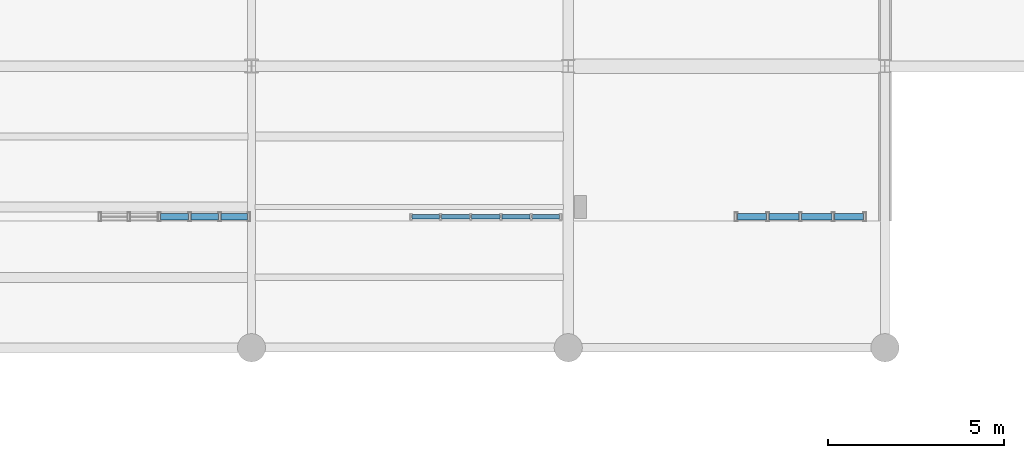
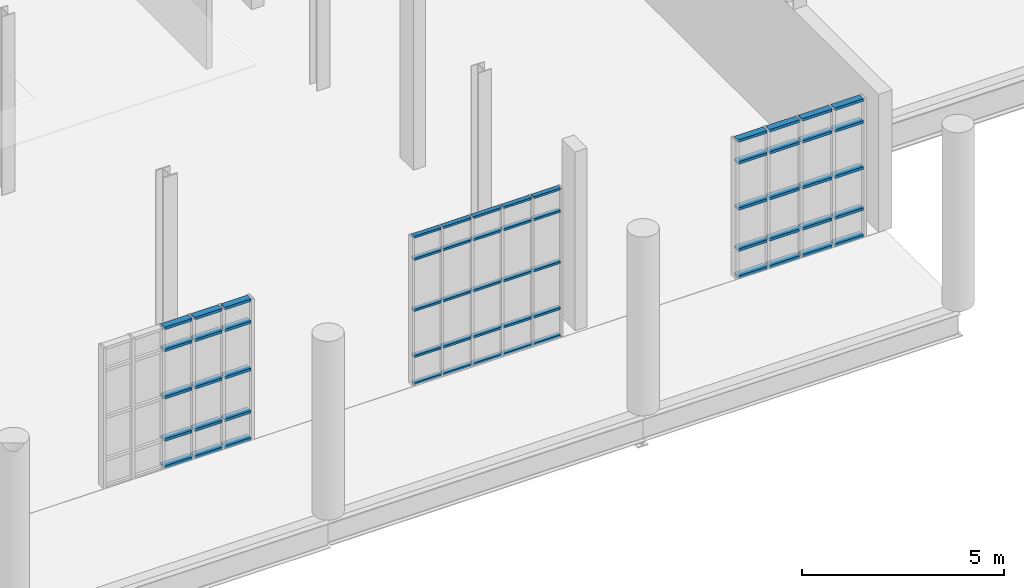
# One storey, part 139 of 189: 60 members, 3 elements without a shape of their own.
"""IFC4 building model written with IfcOpenShell, lengths in metres."""

from ifc_helpers import new_model, si_unit, direction, frame, origin, origin_2d, place, context, subcontext, project, spatial, hollow_rectangle, extrude, material, layer, layer_set, material_profile, profile_set, type_object, element, aggregate, save


model = new_model("IFC4")

# Units and contexts
model_context = context("Model", 3, precision=1e-05, world=origin(), true_north=direction((0.0, 1.0)))
body_context = subcontext(model_context, "Body", "Model", "MODEL_VIEW")
ifc_project = project(units=[si_unit("LENGTHUNIT", "METRE"), si_unit("AREAUNIT", "SQUARE_METRE"), si_unit("VOLUMEUNIT", "CUBIC_METRE"), si_unit("PLANEANGLEUNIT", "RADIAN"), si_unit("MASSUNIT", "GRAM", prefix="KILO"), si_unit("THERMODYNAMICTEMPERATUREUNIT", "KELVIN"), si_unit("POWERUNIT", "WATT")], contexts=[model_context])

# Site, building, storey
site_placement = place(None, origin())
site = spatial("IfcSite", under=ifc_project, at=site_placement, CompositionType="ELEMENT")
building_placement = place(site_placement, origin())
building = spatial("IfcBuilding", under=site, at=building_placement, Name="Zelmaris Science Centre", CompositionType="ELEMENT")
storey_placement = place(building_placement, origin())
storey = spatial("IfcBuildingStorey", under=building, at=storey_placement, Name="L00", CompositionType="ELEMENT", Elevation=0.0)

# Curtain wall, members
ifc_material = material(Name="Anodised architectural aluminium 6063-T6", Category="aluminium")
ifc_layer_1 = layer(ifc_material, 0.2099609375, Name="Anodised architectural aluminium 6063-T6")
ifc_layer_set_1 = layer_set([ifc_layer_1], Name="Anodised architectural aluminium 6063-T6")
curtain_wall_type_1 = type_object("IfcCurtainWallType", Name="Curtain Wall CW-03", PredefinedType="USERDEFINED", material=ifc_layer_set_1)
curtain_wall_1_placement = place(storey_placement, origin())
curtain_wall_1 = element("IfcCurtainWall", 1, at=curtain_wall_1_placement, inside=storey, type_object=curtain_wall_type_1, Name="L00 Unitised curtain wall 103", ObjectType="GLAZED CURTAIN WALL", PredefinedType="USERDEFINED")
ifc_material_profile_1 = material_profile(ifc_material, hollow_rectangle(XDim=0.06494140625, YDim=0.1298828125, WallThickness=0.00341796875, at=origin_2d()), Name="ALU-TRN-65X130")
ifc_profile_set_1 = profile_set([ifc_material_profile_1], Name="Anodised architectural aluminium 6063-T6")
member_type_1 = type_object("IfcMemberType", Name="ALU-TRN-65X130", PredefinedType="USERDEFINED", material=ifc_profile_set_1)
member_1_placement = place(storey_placement, frame((143.7529296875, 11.72021484375, 0.013427734375), z_axis=(-1.0, 0.0, 0.0), x_axis=(0.0, 0.0, 1.0)))
member_1 = element("IfcMember", 2, at=member_1_placement, type_object=member_type_1, Name="CW-03 transom 1.1", ObjectType="TRANSOM", PredefinedType="USERDEFINED", context=body_context, shape_type="SweptSolid", body=[
    extrude(hollow_rectangle(XDim=0.06494140625, YDim=0.1298828125, WallThickness=0.00341796875, at=origin_2d()), origin(), (0.0, 0.0, 1.0), 0.775146484375),
])
member_2_placement = place(storey_placement, frame((143.7529296875, 11.72021484375, 0.8349609375), z_axis=(-1.0, 0.0, 0.0), x_axis=(0.0, 0.0, 1.0)))
member_2 = element("IfcMember", 3, at=member_2_placement, type_object=member_type_1, Name="CW-03 transom 1.2", ObjectType="TRANSOM", PredefinedType="USERDEFINED", context=body_context, shape_type="SweptSolid", body=[
    extrude(hollow_rectangle(XDim=0.06494140625, YDim=0.1298828125, WallThickness=0.00341796875, at=origin_2d()), origin(), (0.0, 0.0, 1.0), 0.775146484375),
])
member_3_placement = place(storey_placement, frame((143.7529296875, 11.72021484375, 2.22900390625), z_axis=(-1.0, 0.0, 0.0), x_axis=(0.0, 0.0, 1.0)))
member_3 = element("IfcMember", 4, at=member_3_placement, type_object=member_type_1, Name="CW-03 transom 1.3", ObjectType="TRANSOM", PredefinedType="USERDEFINED", context=body_context, shape_type="SweptSolid", body=[
    extrude(hollow_rectangle(XDim=0.06494140625, YDim=0.1298828125, WallThickness=0.00341796875, at=origin_2d()), origin(), (0.0, 0.0, 1.0), 0.775146484375),
])
member_4_placement = place(storey_placement, frame((143.7529296875, 11.72021484375, 3.77294921875), z_axis=(-1.0, 0.0, 0.0), x_axis=(0.0, 0.0, 1.0)))
member_4 = element("IfcMember", 5, at=member_4_placement, type_object=member_type_1, Name="CW-03 transom 1.4", ObjectType="TRANSOM", PredefinedType="USERDEFINED", context=body_context, shape_type="SweptSolid", body=[
    extrude(hollow_rectangle(XDim=0.06494140625, YDim=0.1298828125, WallThickness=0.00341796875, at=origin_2d()), origin(), (0.0, 0.0, 1.0), 0.775146484375),
])
member_5_placement = place(storey_placement, frame((143.7529296875, 11.72021484375, 4.444580078125), z_axis=(-1.0, 0.0, 0.0), x_axis=(0.0, 0.0, 1.0)))
member_5 = element("IfcMember", 6, at=member_5_placement, type_object=member_type_1, Name="CW-03 transom 1.5", ObjectType="TRANSOM", PredefinedType="USERDEFINED", context=body_context, shape_type="SweptSolid", body=[
    extrude(hollow_rectangle(XDim=0.06494140625, YDim=0.1298828125, WallThickness=0.00341796875, at=origin_2d()), origin(), (0.0, 0.0, 1.0), 0.775146484375),
])
member_6_placement = place(storey_placement, frame((142.920654296875, 11.72021484375, 0.013427734375), z_axis=(-1.0, 0.0, 0.0), x_axis=(0.0, 0.0, 1.0)))
member_6 = element("IfcMember", 7, at=member_6_placement, type_object=member_type_1, Name="CW-03 transom 2.1", ObjectType="TRANSOM", PredefinedType="USERDEFINED", context=body_context, shape_type="SweptSolid", body=[
    extrude(hollow_rectangle(XDim=0.06494140625, YDim=0.1298828125, WallThickness=0.00341796875, at=origin_2d()), origin(), (0.0, 0.0, 1.0), 0.8037109375),
])
member_7_placement = place(storey_placement, frame((142.920654296875, 11.72021484375, 0.8349609375), z_axis=(-1.0, 0.0, 0.0), x_axis=(0.0, 0.0, 1.0)))
member_7 = element("IfcMember", 8, at=member_7_placement, type_object=member_type_1, Name="CW-03 transom 2.2", ObjectType="TRANSOM", PredefinedType="USERDEFINED", context=body_context, shape_type="SweptSolid", body=[
    extrude(hollow_rectangle(XDim=0.06494140625, YDim=0.1298828125, WallThickness=0.00341796875, at=origin_2d()), origin(), (0.0, 0.0, 1.0), 0.8037109375),
])
member_8_placement = place(storey_placement, frame((142.920654296875, 11.72021484375, 2.22900390625), z_axis=(-1.0, 0.0, 0.0), x_axis=(0.0, 0.0, 1.0)))
member_8 = element("IfcMember", 9, at=member_8_placement, type_object=member_type_1, Name="CW-03 transom 2.3", ObjectType="TRANSOM", PredefinedType="USERDEFINED", context=body_context, shape_type="SweptSolid", body=[
    extrude(hollow_rectangle(XDim=0.06494140625, YDim=0.1298828125, WallThickness=0.00341796875, at=origin_2d()), origin(), (0.0, 0.0, 1.0), 0.8037109375),
])
member_9_placement = place(storey_placement, frame((142.920654296875, 11.72021484375, 3.77294921875), z_axis=(-1.0, 0.0, 0.0), x_axis=(0.0, 0.0, 1.0)))
member_9 = element("IfcMember", 10, at=member_9_placement, type_object=member_type_1, Name="CW-03 transom 2.4", ObjectType="TRANSOM", PredefinedType="USERDEFINED", context=body_context, shape_type="SweptSolid", body=[
    extrude(hollow_rectangle(XDim=0.06494140625, YDim=0.1298828125, WallThickness=0.00341796875, at=origin_2d()), origin(), (0.0, 0.0, 1.0), 0.8037109375),
])
member_10_placement = place(storey_placement, frame((142.920654296875, 11.72021484375, 4.444580078125), z_axis=(-1.0, 0.0, 0.0), x_axis=(0.0, 0.0, 1.0)))
member_10 = element("IfcMember", 11, at=member_10_placement, type_object=member_type_1, Name="CW-03 transom 2.5", ObjectType="TRANSOM", PredefinedType="USERDEFINED", context=body_context, shape_type="SweptSolid", body=[
    extrude(hollow_rectangle(XDim=0.06494140625, YDim=0.1298828125, WallThickness=0.00341796875, at=origin_2d()), origin(), (0.0, 0.0, 1.0), 0.8037109375),
])
member_11_placement = place(storey_placement, frame((142.06005859375, 11.72021484375, 0.013427734375), z_axis=(-1.0, 0.0, 0.0), x_axis=(0.0, 0.0, 1.0)))
member_11 = element("IfcMember", 12, at=member_11_placement, type_object=member_type_1, Name="CW-03 transom 3.1", ObjectType="TRANSOM", PredefinedType="USERDEFINED", context=body_context, shape_type="SweptSolid", body=[
    extrude(hollow_rectangle(XDim=0.06494140625, YDim=0.1298828125, WallThickness=0.00341796875, at=origin_2d()), origin(), (0.0, 0.0, 1.0), 0.8037109375),
])
member_12_placement = place(storey_placement, frame((142.06005859375, 11.72021484375, 0.8349609375), z_axis=(-1.0, 0.0, 0.0), x_axis=(0.0, 0.0, 1.0)))
member_12 = element("IfcMember", 13, at=member_12_placement, type_object=member_type_1, Name="CW-03 transom 3.2", ObjectType="TRANSOM", PredefinedType="USERDEFINED", context=body_context, shape_type="SweptSolid", body=[
    extrude(hollow_rectangle(XDim=0.06494140625, YDim=0.1298828125, WallThickness=0.00341796875, at=origin_2d()), origin(), (0.0, 0.0, 1.0), 0.8037109375),
])
member_13_placement = place(storey_placement, frame((142.06005859375, 11.72021484375, 2.22900390625), z_axis=(-1.0, 0.0, 0.0), x_axis=(0.0, 0.0, 1.0)))
member_13 = element("IfcMember", 14, at=member_13_placement, type_object=member_type_1, Name="CW-03 transom 3.3", ObjectType="TRANSOM", PredefinedType="USERDEFINED", context=body_context, shape_type="SweptSolid", body=[
    extrude(hollow_rectangle(XDim=0.06494140625, YDim=0.1298828125, WallThickness=0.00341796875, at=origin_2d()), origin(), (0.0, 0.0, 1.0), 0.8037109375),
])
member_14_placement = place(storey_placement, frame((142.06005859375, 11.72021484375, 3.77294921875), z_axis=(-1.0, 0.0, 0.0), x_axis=(0.0, 0.0, 1.0)))
member_14 = element("IfcMember", 15, at=member_14_placement, type_object=member_type_1, Name="CW-03 transom 3.4", ObjectType="TRANSOM", PredefinedType="USERDEFINED", context=body_context, shape_type="SweptSolid", body=[
    extrude(hollow_rectangle(XDim=0.06494140625, YDim=0.1298828125, WallThickness=0.00341796875, at=origin_2d()), origin(), (0.0, 0.0, 1.0), 0.8037109375),
])
member_15_placement = place(storey_placement, frame((142.06005859375, 11.72021484375, 4.444580078125), z_axis=(-1.0, 0.0, 0.0), x_axis=(0.0, 0.0, 1.0)))
member_15 = element("IfcMember", 16, at=member_15_placement, type_object=member_type_1, Name="CW-03 transom 3.5", ObjectType="TRANSOM", PredefinedType="USERDEFINED", context=body_context, shape_type="SweptSolid", body=[
    extrude(hollow_rectangle(XDim=0.06494140625, YDim=0.1298828125, WallThickness=0.00341796875, at=origin_2d()), origin(), (0.0, 0.0, 1.0), 0.8037109375),
])
member_16_placement = place(storey_placement, frame((141.19921875, 11.72021484375, 0.013427734375), z_axis=(-1.0, 0.0, 0.0), x_axis=(0.0, 0.0, 1.0)))
member_16 = element("IfcMember", 17, at=member_16_placement, type_object=member_type_1, Name="CW-03 transom 4.1", ObjectType="TRANSOM", PredefinedType="USERDEFINED", context=body_context, shape_type="SweptSolid", body=[
    extrude(hollow_rectangle(XDim=0.06494140625, YDim=0.1298828125, WallThickness=0.00341796875, at=origin_2d()), origin(), (0.0, 0.0, 1.0), 0.8037109375),
])
member_17_placement = place(storey_placement, frame((141.19921875, 11.72021484375, 0.8349609375), z_axis=(-1.0, 0.0, 0.0), x_axis=(0.0, 0.0, 1.0)))
member_17 = element("IfcMember", 18, at=member_17_placement, type_object=member_type_1, Name="CW-03 transom 4.2", ObjectType="TRANSOM", PredefinedType="USERDEFINED", context=body_context, shape_type="SweptSolid", body=[
    extrude(hollow_rectangle(XDim=0.06494140625, YDim=0.1298828125, WallThickness=0.00341796875, at=origin_2d()), origin(), (0.0, 0.0, 1.0), 0.8037109375),
])
member_18_placement = place(storey_placement, frame((141.19921875, 11.72021484375, 2.22900390625), z_axis=(-1.0, 0.0, 0.0), x_axis=(0.0, 0.0, 1.0)))
member_18 = element("IfcMember", 19, at=member_18_placement, type_object=member_type_1, Name="CW-03 transom 4.3", ObjectType="TRANSOM", PredefinedType="USERDEFINED", context=body_context, shape_type="SweptSolid", body=[
    extrude(hollow_rectangle(XDim=0.06494140625, YDim=0.1298828125, WallThickness=0.00341796875, at=origin_2d()), origin(), (0.0, 0.0, 1.0), 0.8037109375),
])
member_19_placement = place(storey_placement, frame((141.19921875, 11.72021484375, 3.77294921875), z_axis=(-1.0, 0.0, 0.0), x_axis=(0.0, 0.0, 1.0)))
member_19 = element("IfcMember", 20, at=member_19_placement, type_object=member_type_1, Name="CW-03 transom 4.4", ObjectType="TRANSOM", PredefinedType="USERDEFINED", context=body_context, shape_type="SweptSolid", body=[
    extrude(hollow_rectangle(XDim=0.06494140625, YDim=0.1298828125, WallThickness=0.00341796875, at=origin_2d()), origin(), (0.0, 0.0, 1.0), 0.8037109375),
])
member_20_placement = place(storey_placement, frame((141.19921875, 11.72021484375, 4.444580078125), z_axis=(-1.0, 0.0, 0.0), x_axis=(0.0, 0.0, 1.0)))
member_20 = element("IfcMember", 21, at=member_20_placement, type_object=member_type_1, Name="CW-03 transom 4.5", ObjectType="TRANSOM", PredefinedType="USERDEFINED", context=body_context, shape_type="SweptSolid", body=[
    extrude(hollow_rectangle(XDim=0.06494140625, YDim=0.1298828125, WallThickness=0.00341796875, at=origin_2d()), origin(), (0.0, 0.0, 1.0), 0.8037109375),
])
member_21_placement = place(storey_placement, frame((140.338623046875, 11.72021484375, 0.013427734375), z_axis=(-1.0, 0.0, 0.0), x_axis=(0.0, 0.0, 1.0)))
member_21 = element("IfcMember", 22, at=member_21_placement, type_object=member_type_1, Name="CW-03 transom 5.1", ObjectType="TRANSOM", PredefinedType="USERDEFINED", context=body_context, shape_type="SweptSolid", body=[
    extrude(hollow_rectangle(XDim=0.06494140625, YDim=0.1298828125, WallThickness=0.00341796875, at=origin_2d()), origin(), (0.0, 0.0, 1.0), 0.775390625),
])
member_22_placement = place(storey_placement, frame((140.338623046875, 11.72021484375, 0.8349609375), z_axis=(-1.0, 0.0, 0.0), x_axis=(0.0, 0.0, 1.0)))
member_22 = element("IfcMember", 23, at=member_22_placement, type_object=member_type_1, Name="CW-03 transom 5.2", ObjectType="TRANSOM", PredefinedType="USERDEFINED", context=body_context, shape_type="SweptSolid", body=[
    extrude(hollow_rectangle(XDim=0.06494140625, YDim=0.1298828125, WallThickness=0.00341796875, at=origin_2d()), origin(), (0.0, 0.0, 1.0), 0.775390625),
])
member_23_placement = place(storey_placement, frame((140.338623046875, 11.72021484375, 2.22900390625), z_axis=(-1.0, 0.0, 0.0), x_axis=(0.0, 0.0, 1.0)))
member_23 = element("IfcMember", 24, at=member_23_placement, type_object=member_type_1, Name="CW-03 transom 5.3", ObjectType="TRANSOM", PredefinedType="USERDEFINED", context=body_context, shape_type="SweptSolid", body=[
    extrude(hollow_rectangle(XDim=0.06494140625, YDim=0.1298828125, WallThickness=0.00341796875, at=origin_2d()), origin(), (0.0, 0.0, 1.0), 0.775390625),
])
member_24_placement = place(storey_placement, frame((140.338623046875, 11.72021484375, 3.77294921875), z_axis=(-1.0, 0.0, 0.0), x_axis=(0.0, 0.0, 1.0)))
member_24 = element("IfcMember", 25, at=member_24_placement, type_object=member_type_1, Name="CW-03 transom 5.4", ObjectType="TRANSOM", PredefinedType="USERDEFINED", context=body_context, shape_type="SweptSolid", body=[
    extrude(hollow_rectangle(XDim=0.06494140625, YDim=0.1298828125, WallThickness=0.00341796875, at=origin_2d()), origin(), (0.0, 0.0, 1.0), 0.775390625),
])
member_25_placement = place(storey_placement, frame((140.338623046875, 11.72021484375, 4.444580078125), z_axis=(-1.0, 0.0, 0.0), x_axis=(0.0, 0.0, 1.0)))
member_25 = element("IfcMember", 26, at=member_25_placement, type_object=member_type_1, Name="CW-03 transom 5.5", ObjectType="TRANSOM", PredefinedType="USERDEFINED", context=body_context, shape_type="SweptSolid", body=[
    extrude(hollow_rectangle(XDim=0.06494140625, YDim=0.1298828125, WallThickness=0.00341796875, at=origin_2d()), origin(), (0.0, 0.0, 1.0), 0.775390625),
])
aggregate(curtain_wall_1, [member_1, member_2, member_3, member_4, member_5, member_6, member_7, member_8, member_9, member_10, member_11, member_12, member_13, member_14, member_15, member_16, member_17, member_18, member_19, member_20, member_21, member_22, member_23, member_24, member_25])

ifc_layer_2 = layer(ifc_material, 0.18994140625, Name="Anodised architectural aluminium 6063-T6")
ifc_layer_set_2 = layer_set([ifc_layer_2], Name="Anodised architectural aluminium 6063-T6")
curtain_wall_type_2 = type_object("IfcCurtainWallType", Name="Curtain Wall CW-01", PredefinedType="USERDEFINED", material=ifc_layer_set_2)
curtain_wall_2_placement = place(storey_placement, origin())
curtain_wall_2 = element("IfcCurtainWall", 27, at=curtain_wall_2_placement, inside=storey, type_object=curtain_wall_type_2, Name="L00 Unitised curtain wall 101", ObjectType="GLAZED CURTAIN WALL", PredefinedType="USERDEFINED")
ifc_material_profile_2 = material_profile(ifc_material, hollow_rectangle(XDim=0.080078125, YDim=0.18994140625, WallThickness=0.00439453125, at=origin_2d()), Name="ALU-TRN-80X190")
ifc_profile_set_2 = profile_set([ifc_material_profile_2], Name="Anodised architectural aluminium 6063-T6")
member_type_2 = type_object("IfcMemberType", Name="ALU-TRN-80X190", PredefinedType="USERDEFINED", material=ifc_profile_set_2)
member_26_placement = place(storey_placement, frame((152.387939453125, 11.72021484375, 0.02099609375), z_axis=(-1.0, 0.0, 0.0), x_axis=(0.0, 0.0, 1.0)))
member_26 = element("IfcMember", 28, at=member_26_placement, type_object=member_type_2, Name="CW-01 transom 1.1", ObjectType="TRANSOM", PredefinedType="USERDEFINED", context=body_context, shape_type="SweptSolid", body=[
    extrude(hollow_rectangle(XDim=0.080078125, YDim=0.18994140625, WallThickness=0.00439453125, at=origin_2d()), origin(), (0.0, 0.0, 1.0), 0.8232421875),
])
member_27_placement = place(storey_placement, frame((152.387939453125, 11.72021484375, 0.8349609375), z_axis=(-1.0, 0.0, 0.0), x_axis=(0.0, 0.0, 1.0)))
member_27 = element("IfcMember", 29, at=member_27_placement, type_object=member_type_2, Name="CW-01 transom 1.2", ObjectType="TRANSOM", PredefinedType="USERDEFINED", context=body_context, shape_type="SweptSolid", body=[
    extrude(hollow_rectangle(XDim=0.080078125, YDim=0.18994140625, WallThickness=0.00439453125, at=origin_2d()), origin(), (0.0, 0.0, 1.0), 0.8232421875),
])
member_28_placement = place(storey_placement, frame((152.387939453125, 11.72021484375, 2.075439453125), z_axis=(-1.0, 0.0, 0.0), x_axis=(0.0, 0.0, 1.0)))
member_28 = element("IfcMember", 30, at=member_28_placement, type_object=member_type_2, Name="CW-01 transom 1.3", ObjectType="TRANSOM", PredefinedType="USERDEFINED", context=body_context, shape_type="SweptSolid", body=[
    extrude(hollow_rectangle(XDim=0.080078125, YDim=0.18994140625, WallThickness=0.00439453125, at=origin_2d()), origin(), (0.0, 0.0, 1.0), 0.8232421875),
])
member_29_placement = place(storey_placement, frame((152.387939453125, 11.72021484375, 3.466064453125), z_axis=(-1.0, 0.0, 0.0), x_axis=(0.0, 0.0, 1.0)))
member_29 = element("IfcMember", 31, at=member_29_placement, type_object=member_type_2, Name="CW-01 transom 1.4", ObjectType="TRANSOM", PredefinedType="USERDEFINED", context=body_context, shape_type="SweptSolid", body=[
    extrude(hollow_rectangle(XDim=0.080078125, YDim=0.18994140625, WallThickness=0.00439453125, at=origin_2d()), origin(), (0.0, 0.0, 1.0), 0.8232421875),
])
member_30_placement = place(storey_placement, frame((152.387939453125, 11.72021484375, 4.1298828125), z_axis=(-1.0, 0.0, 0.0), x_axis=(0.0, 0.0, 1.0)))
member_30 = element("IfcMember", 32, at=member_30_placement, type_object=member_type_2, Name="CW-01 transom 1.5", ObjectType="TRANSOM", PredefinedType="USERDEFINED", context=body_context, shape_type="SweptSolid", body=[
    extrude(hollow_rectangle(XDim=0.080078125, YDim=0.18994140625, WallThickness=0.00439453125, at=origin_2d()), origin(), (0.0, 0.0, 1.0), 0.8232421875),
])
member_31_placement = place(storey_placement, frame((151.49267578125, 11.72021484375, 0.02099609375), z_axis=(-1.0, 0.0, 0.0), x_axis=(0.0, 0.0, 1.0)))
member_31 = element("IfcMember", 33, at=member_31_placement, type_object=member_type_2, Name="CW-01 transom 2.1", ObjectType="TRANSOM", PredefinedType="USERDEFINED", context=body_context, shape_type="SweptSolid", body=[
    extrude(hollow_rectangle(XDim=0.080078125, YDim=0.18994140625, WallThickness=0.00439453125, at=origin_2d()), origin(), (0.0, 0.0, 1.0), 0.859130859375),
])
member_32_placement = place(storey_placement, frame((151.49267578125, 11.72021484375, 0.8349609375), z_axis=(-1.0, 0.0, 0.0), x_axis=(0.0, 0.0, 1.0)))
member_32 = element("IfcMember", 34, at=member_32_placement, type_object=member_type_2, Name="CW-01 transom 2.2", ObjectType="TRANSOM", PredefinedType="USERDEFINED", context=body_context, shape_type="SweptSolid", body=[
    extrude(hollow_rectangle(XDim=0.080078125, YDim=0.18994140625, WallThickness=0.00439453125, at=origin_2d()), origin(), (0.0, 0.0, 1.0), 0.859130859375),
])
member_33_placement = place(storey_placement, frame((151.49267578125, 11.72021484375, 2.075439453125), z_axis=(-1.0, 0.0, 0.0), x_axis=(0.0, 0.0, 1.0)))
member_33 = element("IfcMember", 35, at=member_33_placement, type_object=member_type_2, Name="CW-01 transom 2.3", ObjectType="TRANSOM", PredefinedType="USERDEFINED", context=body_context, shape_type="SweptSolid", body=[
    extrude(hollow_rectangle(XDim=0.080078125, YDim=0.18994140625, WallThickness=0.00439453125, at=origin_2d()), origin(), (0.0, 0.0, 1.0), 0.859130859375),
])
member_34_placement = place(storey_placement, frame((151.49267578125, 11.72021484375, 3.466064453125), z_axis=(-1.0, 0.0, 0.0), x_axis=(0.0, 0.0, 1.0)))
member_34 = element("IfcMember", 36, at=member_34_placement, type_object=member_type_2, Name="CW-01 transom 2.4", ObjectType="TRANSOM", PredefinedType="USERDEFINED", context=body_context, shape_type="SweptSolid", body=[
    extrude(hollow_rectangle(XDim=0.080078125, YDim=0.18994140625, WallThickness=0.00439453125, at=origin_2d()), origin(), (0.0, 0.0, 1.0), 0.859130859375),
])
member_35_placement = place(storey_placement, frame((151.49267578125, 11.72021484375, 4.1298828125), z_axis=(-1.0, 0.0, 0.0), x_axis=(0.0, 0.0, 1.0)))
member_35 = element("IfcMember", 37, at=member_35_placement, type_object=member_type_2, Name="CW-01 transom 2.5", ObjectType="TRANSOM", PredefinedType="USERDEFINED", context=body_context, shape_type="SweptSolid", body=[
    extrude(hollow_rectangle(XDim=0.080078125, YDim=0.18994140625, WallThickness=0.00439453125, at=origin_2d()), origin(), (0.0, 0.0, 1.0), 0.859130859375),
])
member_36_placement = place(storey_placement, frame((150.5615234375, 11.72021484375, 0.02099609375), z_axis=(-1.0, 0.0, 0.0), x_axis=(0.0, 0.0, 1.0)))
member_36 = element("IfcMember", 38, at=member_36_placement, type_object=member_type_2, Name="CW-01 transom 3.1", ObjectType="TRANSOM", PredefinedType="USERDEFINED", context=body_context, shape_type="SweptSolid", body=[
    extrude(hollow_rectangle(XDim=0.080078125, YDim=0.18994140625, WallThickness=0.00439453125, at=origin_2d()), origin(), (0.0, 0.0, 1.0), 0.859375),
])
member_37_placement = place(storey_placement, frame((150.5615234375, 11.72021484375, 0.8349609375), z_axis=(-1.0, 0.0, 0.0), x_axis=(0.0, 0.0, 1.0)))
member_37 = element("IfcMember", 39, at=member_37_placement, type_object=member_type_2, Name="CW-01 transom 3.2", ObjectType="TRANSOM", PredefinedType="USERDEFINED", context=body_context, shape_type="SweptSolid", body=[
    extrude(hollow_rectangle(XDim=0.080078125, YDim=0.18994140625, WallThickness=0.00439453125, at=origin_2d()), origin(), (0.0, 0.0, 1.0), 0.859375),
])
member_38_placement = place(storey_placement, frame((150.5615234375, 11.72021484375, 2.075439453125), z_axis=(-1.0, 0.0, 0.0), x_axis=(0.0, 0.0, 1.0)))
member_38 = element("IfcMember", 40, at=member_38_placement, type_object=member_type_2, Name="CW-01 transom 3.3", ObjectType="TRANSOM", PredefinedType="USERDEFINED", context=body_context, shape_type="SweptSolid", body=[
    extrude(hollow_rectangle(XDim=0.080078125, YDim=0.18994140625, WallThickness=0.00439453125, at=origin_2d()), origin(), (0.0, 0.0, 1.0), 0.859375),
])
member_39_placement = place(storey_placement, frame((150.5615234375, 11.72021484375, 3.466064453125), z_axis=(-1.0, 0.0, 0.0), x_axis=(0.0, 0.0, 1.0)))
member_39 = element("IfcMember", 41, at=member_39_placement, type_object=member_type_2, Name="CW-01 transom 3.4", ObjectType="TRANSOM", PredefinedType="USERDEFINED", context=body_context, shape_type="SweptSolid", body=[
    extrude(hollow_rectangle(XDim=0.080078125, YDim=0.18994140625, WallThickness=0.00439453125, at=origin_2d()), origin(), (0.0, 0.0, 1.0), 0.859375),
])
member_40_placement = place(storey_placement, frame((150.5615234375, 11.72021484375, 4.1298828125), z_axis=(-1.0, 0.0, 0.0), x_axis=(0.0, 0.0, 1.0)))
member_40 = element("IfcMember", 42, at=member_40_placement, type_object=member_type_2, Name="CW-01 transom 3.5", ObjectType="TRANSOM", PredefinedType="USERDEFINED", context=body_context, shape_type="SweptSolid", body=[
    extrude(hollow_rectangle(XDim=0.080078125, YDim=0.18994140625, WallThickness=0.00439453125, at=origin_2d()), origin(), (0.0, 0.0, 1.0), 0.859375),
])
member_41_placement = place(storey_placement, frame((149.630126953125, 11.72021484375, 0.02099609375), z_axis=(-1.0, 0.0, 0.0), x_axis=(0.0, 0.0, 1.0)))
member_41 = element("IfcMember", 43, at=member_41_placement, type_object=member_type_2, Name="CW-01 transom 4.1", ObjectType="TRANSOM", PredefinedType="USERDEFINED", context=body_context, shape_type="SweptSolid", body=[
    extrude(hollow_rectangle(XDim=0.080078125, YDim=0.18994140625, WallThickness=0.00439453125, at=origin_2d()), origin(), (0.0, 0.0, 1.0), 0.8232421875),
])
member_42_placement = place(storey_placement, frame((149.630126953125, 11.72021484375, 0.8349609375), z_axis=(-1.0, 0.0, 0.0), x_axis=(0.0, 0.0, 1.0)))
member_42 = element("IfcMember", 44, at=member_42_placement, type_object=member_type_2, Name="CW-01 transom 4.2", ObjectType="TRANSOM", PredefinedType="USERDEFINED", context=body_context, shape_type="SweptSolid", body=[
    extrude(hollow_rectangle(XDim=0.080078125, YDim=0.18994140625, WallThickness=0.00439453125, at=origin_2d()), origin(), (0.0, 0.0, 1.0), 0.8232421875),
])
member_43_placement = place(storey_placement, frame((149.630126953125, 11.72021484375, 2.075439453125), z_axis=(-1.0, 0.0, 0.0), x_axis=(0.0, 0.0, 1.0)))
member_43 = element("IfcMember", 45, at=member_43_placement, type_object=member_type_2, Name="CW-01 transom 4.3", ObjectType="TRANSOM", PredefinedType="USERDEFINED", context=body_context, shape_type="SweptSolid", body=[
    extrude(hollow_rectangle(XDim=0.080078125, YDim=0.18994140625, WallThickness=0.00439453125, at=origin_2d()), origin(), (0.0, 0.0, 1.0), 0.8232421875),
])
member_44_placement = place(storey_placement, frame((149.630126953125, 11.72021484375, 3.466064453125), z_axis=(-1.0, 0.0, 0.0), x_axis=(0.0, 0.0, 1.0)))
member_44 = element("IfcMember", 46, at=member_44_placement, type_object=member_type_2, Name="CW-01 transom 4.4", ObjectType="TRANSOM", PredefinedType="USERDEFINED", context=body_context, shape_type="SweptSolid", body=[
    extrude(hollow_rectangle(XDim=0.080078125, YDim=0.18994140625, WallThickness=0.00439453125, at=origin_2d()), origin(), (0.0, 0.0, 1.0), 0.8232421875),
])
member_45_placement = place(storey_placement, frame((149.630126953125, 11.72021484375, 4.1298828125), z_axis=(-1.0, 0.0, 0.0), x_axis=(0.0, 0.0, 1.0)))
member_45 = element("IfcMember", 47, at=member_45_placement, type_object=member_type_2, Name="CW-01 transom 4.5", ObjectType="TRANSOM", PredefinedType="USERDEFINED", context=body_context, shape_type="SweptSolid", body=[
    extrude(hollow_rectangle(XDim=0.080078125, YDim=0.18994140625, WallThickness=0.00439453125, at=origin_2d()), origin(), (0.0, 0.0, 1.0), 0.8232421875),
])
aggregate(curtain_wall_2, [member_26, member_27, member_28, member_29, member_30, member_31, member_32, member_33, member_34, member_35, member_36, member_37, member_38, member_39, member_40, member_41, member_42, member_43, member_44, member_45])

curtain_wall_3_placement = place(storey_placement, origin())
curtain_wall_3 = element("IfcCurtainWall", 48, at=curtain_wall_3_placement, inside=storey, type_object=curtain_wall_type_2, Name="L00 Unitised curtain wall 105", ObjectType="GLAZED CURTAIN WALL", PredefinedType="USERDEFINED")
member_46_placement = place(storey_placement, frame((134.890380859375, 11.72021484375, 0.02099609375), z_axis=(-1.0, 0.0, 0.0), x_axis=(0.0, 0.0, 1.0)))
member_46 = element("IfcMember", 49, at=member_46_placement, type_object=member_type_2, Name="CW-01 transom 1.1", ObjectType="TRANSOM", PredefinedType="USERDEFINED", context=body_context, shape_type="SweptSolid", body=[
    extrude(hollow_rectangle(XDim=0.080078125, YDim=0.18994140625, WallThickness=0.00439453125, at=origin_2d()), origin(), (0.0, 0.0, 1.0), 0.752685546875),
])
member_47_placement = place(storey_placement, frame((134.890380859375, 11.72021484375, 0.8349609375), z_axis=(-1.0, 0.0, 0.0), x_axis=(0.0, 0.0, 1.0)))
member_47 = element("IfcMember", 50, at=member_47_placement, type_object=member_type_2, Name="CW-01 transom 1.2", ObjectType="TRANSOM", PredefinedType="USERDEFINED", context=body_context, shape_type="SweptSolid", body=[
    extrude(hollow_rectangle(XDim=0.080078125, YDim=0.18994140625, WallThickness=0.00439453125, at=origin_2d()), origin(), (0.0, 0.0, 1.0), 0.752685546875),
])
member_48_placement = place(storey_placement, frame((134.890380859375, 11.72021484375, 2.114501953125), z_axis=(-1.0, 0.0, 0.0), x_axis=(0.0, 0.0, 1.0)))
member_48 = element("IfcMember", 51, at=member_48_placement, type_object=member_type_2, Name="CW-01 transom 1.3", ObjectType="TRANSOM", PredefinedType="USERDEFINED", context=body_context, shape_type="SweptSolid", body=[
    extrude(hollow_rectangle(XDim=0.080078125, YDim=0.18994140625, WallThickness=0.00439453125, at=origin_2d()), origin(), (0.0, 0.0, 1.0), 0.752685546875),
])
member_49_placement = place(storey_placement, frame((134.890380859375, 11.72021484375, 3.5439453125), z_axis=(-1.0, 0.0, 0.0), x_axis=(0.0, 0.0, 1.0)))
member_49 = element("IfcMember", 52, at=member_49_placement, type_object=member_type_2, Name="CW-01 transom 1.4", ObjectType="TRANSOM", PredefinedType="USERDEFINED", context=body_context, shape_type="SweptSolid", body=[
    extrude(hollow_rectangle(XDim=0.080078125, YDim=0.18994140625, WallThickness=0.00439453125, at=origin_2d()), origin(), (0.0, 0.0, 1.0), 0.752685546875),
])
member_50_placement = place(storey_placement, frame((134.890380859375, 11.72021484375, 4.2080078125), z_axis=(-1.0, 0.0, 0.0), x_axis=(0.0, 0.0, 1.0)))
member_50 = element("IfcMember", 53, at=member_50_placement, type_object=member_type_2, Name="CW-01 transom 1.5", ObjectType="TRANSOM", PredefinedType="USERDEFINED", context=body_context, shape_type="SweptSolid", body=[
    extrude(hollow_rectangle(XDim=0.080078125, YDim=0.18994140625, WallThickness=0.00439453125, at=origin_2d()), origin(), (0.0, 0.0, 1.0), 0.752685546875),
])
member_51_placement = place(storey_placement, frame((134.065673828125, 11.72021484375, 0.02099609375), z_axis=(-1.0, 0.0, 0.0), x_axis=(0.0, 0.0, 1.0)))
member_51 = element("IfcMember", 54, at=member_51_placement, type_object=member_type_2, Name="CW-01 transom 2.1", ObjectType="TRANSOM", PredefinedType="USERDEFINED", context=body_context, shape_type="SweptSolid", body=[
    extrude(hollow_rectangle(XDim=0.080078125, YDim=0.18994140625, WallThickness=0.00439453125, at=origin_2d()), origin(), (0.0, 0.0, 1.0), 0.78857421875),
])
member_52_placement = place(storey_placement, frame((134.065673828125, 11.72021484375, 0.8349609375), z_axis=(-1.0, 0.0, 0.0), x_axis=(0.0, 0.0, 1.0)))
member_52 = element("IfcMember", 55, at=member_52_placement, type_object=member_type_2, Name="CW-01 transom 2.2", ObjectType="TRANSOM", PredefinedType="USERDEFINED", context=body_context, shape_type="SweptSolid", body=[
    extrude(hollow_rectangle(XDim=0.080078125, YDim=0.18994140625, WallThickness=0.00439453125, at=origin_2d()), origin(), (0.0, 0.0, 1.0), 0.78857421875),
])
member_53_placement = place(storey_placement, frame((134.065673828125, 11.72021484375, 2.114501953125), z_axis=(-1.0, 0.0, 0.0), x_axis=(0.0, 0.0, 1.0)))
member_53 = element("IfcMember", 56, at=member_53_placement, type_object=member_type_2, Name="CW-01 transom 2.3", ObjectType="TRANSOM", PredefinedType="USERDEFINED", context=body_context, shape_type="SweptSolid", body=[
    extrude(hollow_rectangle(XDim=0.080078125, YDim=0.18994140625, WallThickness=0.00439453125, at=origin_2d()), origin(), (0.0, 0.0, 1.0), 0.78857421875),
])
member_54_placement = place(storey_placement, frame((134.065673828125, 11.72021484375, 3.5439453125), z_axis=(-1.0, 0.0, 0.0), x_axis=(0.0, 0.0, 1.0)))
member_54 = element("IfcMember", 57, at=member_54_placement, type_object=member_type_2, Name="CW-01 transom 2.4", ObjectType="TRANSOM", PredefinedType="USERDEFINED", context=body_context, shape_type="SweptSolid", body=[
    extrude(hollow_rectangle(XDim=0.080078125, YDim=0.18994140625, WallThickness=0.00439453125, at=origin_2d()), origin(), (0.0, 0.0, 1.0), 0.78857421875),
])
member_55_placement = place(storey_placement, frame((134.065673828125, 11.72021484375, 4.2080078125), z_axis=(-1.0, 0.0, 0.0), x_axis=(0.0, 0.0, 1.0)))
member_55 = element("IfcMember", 58, at=member_55_placement, type_object=member_type_2, Name="CW-01 transom 2.5", ObjectType="TRANSOM", PredefinedType="USERDEFINED", context=body_context, shape_type="SweptSolid", body=[
    extrude(hollow_rectangle(XDim=0.080078125, YDim=0.18994140625, WallThickness=0.00439453125, at=origin_2d()), origin(), (0.0, 0.0, 1.0), 0.78857421875),
])
member_56_placement = place(storey_placement, frame((133.205078125, 11.72021484375, 0.02099609375), z_axis=(-1.0, 0.0, 0.0), x_axis=(0.0, 0.0, 1.0)))
member_56 = element("IfcMember", 59, at=member_56_placement, type_object=member_type_2, Name="CW-01 transom 3.1", ObjectType="TRANSOM", PredefinedType="USERDEFINED", context=body_context, shape_type="SweptSolid", body=[
    extrude(hollow_rectangle(XDim=0.080078125, YDim=0.18994140625, WallThickness=0.00439453125, at=origin_2d()), origin(), (0.0, 0.0, 1.0), 0.788818359375),
])
member_57_placement = place(storey_placement, frame((133.205078125, 11.72021484375, 0.8349609375), z_axis=(-1.0, 0.0, 0.0), x_axis=(0.0, 0.0, 1.0)))
member_57 = element("IfcMember", 60, at=member_57_placement, type_object=member_type_2, Name="CW-01 transom 3.2", ObjectType="TRANSOM", PredefinedType="USERDEFINED", context=body_context, shape_type="SweptSolid", body=[
    extrude(hollow_rectangle(XDim=0.080078125, YDim=0.18994140625, WallThickness=0.00439453125, at=origin_2d()), origin(), (0.0, 0.0, 1.0), 0.788818359375),
])
member_58_placement = place(storey_placement, frame((133.205078125, 11.72021484375, 2.114501953125), z_axis=(-1.0, 0.0, 0.0), x_axis=(0.0, 0.0, 1.0)))
member_58 = element("IfcMember", 61, at=member_58_placement, type_object=member_type_2, Name="CW-01 transom 3.3", ObjectType="TRANSOM", PredefinedType="USERDEFINED", context=body_context, shape_type="SweptSolid", body=[
    extrude(hollow_rectangle(XDim=0.080078125, YDim=0.18994140625, WallThickness=0.00439453125, at=origin_2d()), origin(), (0.0, 0.0, 1.0), 0.788818359375),
])
member_59_placement = place(storey_placement, frame((133.205078125, 11.72021484375, 3.5439453125), z_axis=(-1.0, 0.0, 0.0), x_axis=(0.0, 0.0, 1.0)))
member_59 = element("IfcMember", 62, at=member_59_placement, type_object=member_type_2, Name="CW-01 transom 3.4", ObjectType="TRANSOM", PredefinedType="USERDEFINED", context=body_context, shape_type="SweptSolid", body=[
    extrude(hollow_rectangle(XDim=0.080078125, YDim=0.18994140625, WallThickness=0.00439453125, at=origin_2d()), origin(), (0.0, 0.0, 1.0), 0.788818359375),
])
member_60_placement = place(storey_placement, frame((133.205078125, 11.72021484375, 4.2080078125), z_axis=(-1.0, 0.0, 0.0), x_axis=(0.0, 0.0, 1.0)))
member_60 = element("IfcMember", 63, at=member_60_placement, type_object=member_type_2, Name="CW-01 transom 3.5", ObjectType="TRANSOM", PredefinedType="USERDEFINED", context=body_context, shape_type="SweptSolid", body=[
    extrude(hollow_rectangle(XDim=0.080078125, YDim=0.18994140625, WallThickness=0.00439453125, at=origin_2d()), origin(), (0.0, 0.0, 1.0), 0.788818359375),
])
aggregate(curtain_wall_3, [member_46, member_47, member_48, member_49, member_50, member_51, member_52, member_53, member_54, member_55, member_56, member_57, member_58, member_59, member_60])

save(model, "model.ifc")
